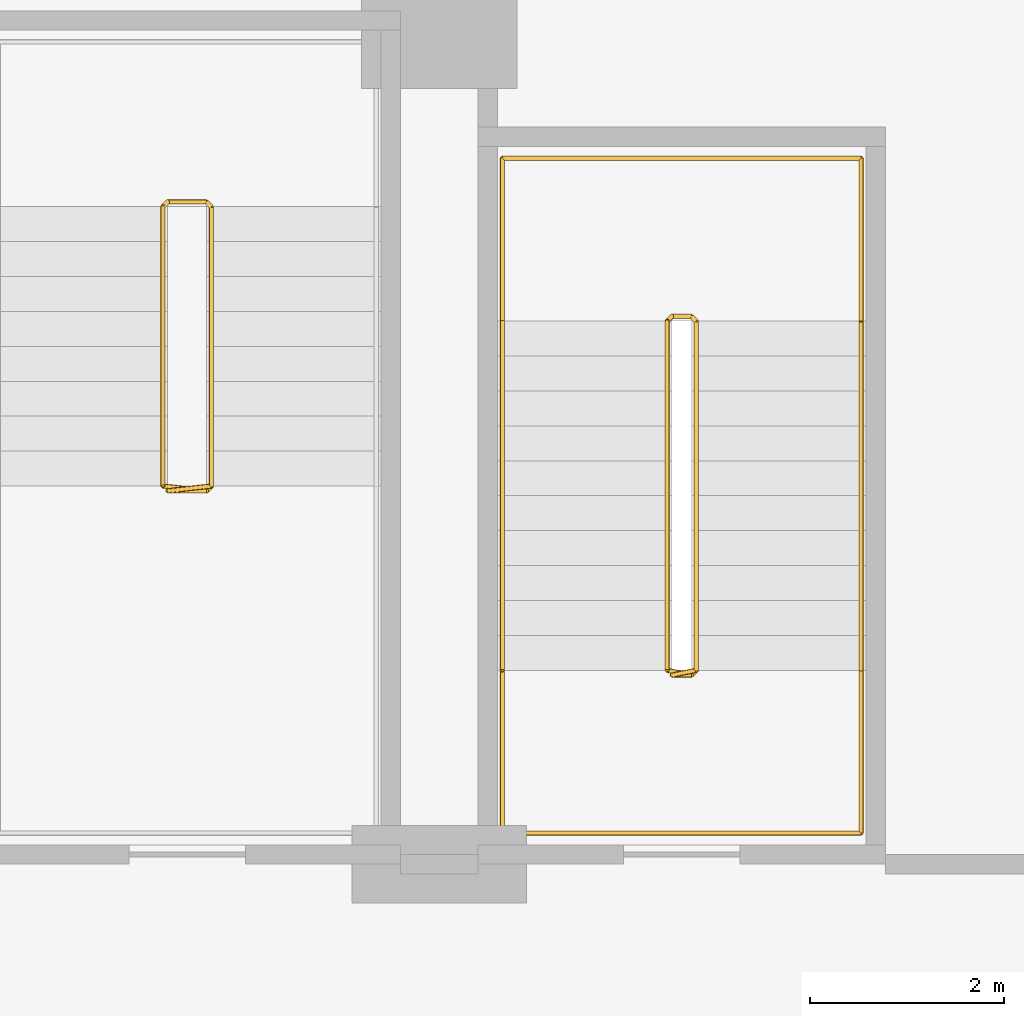
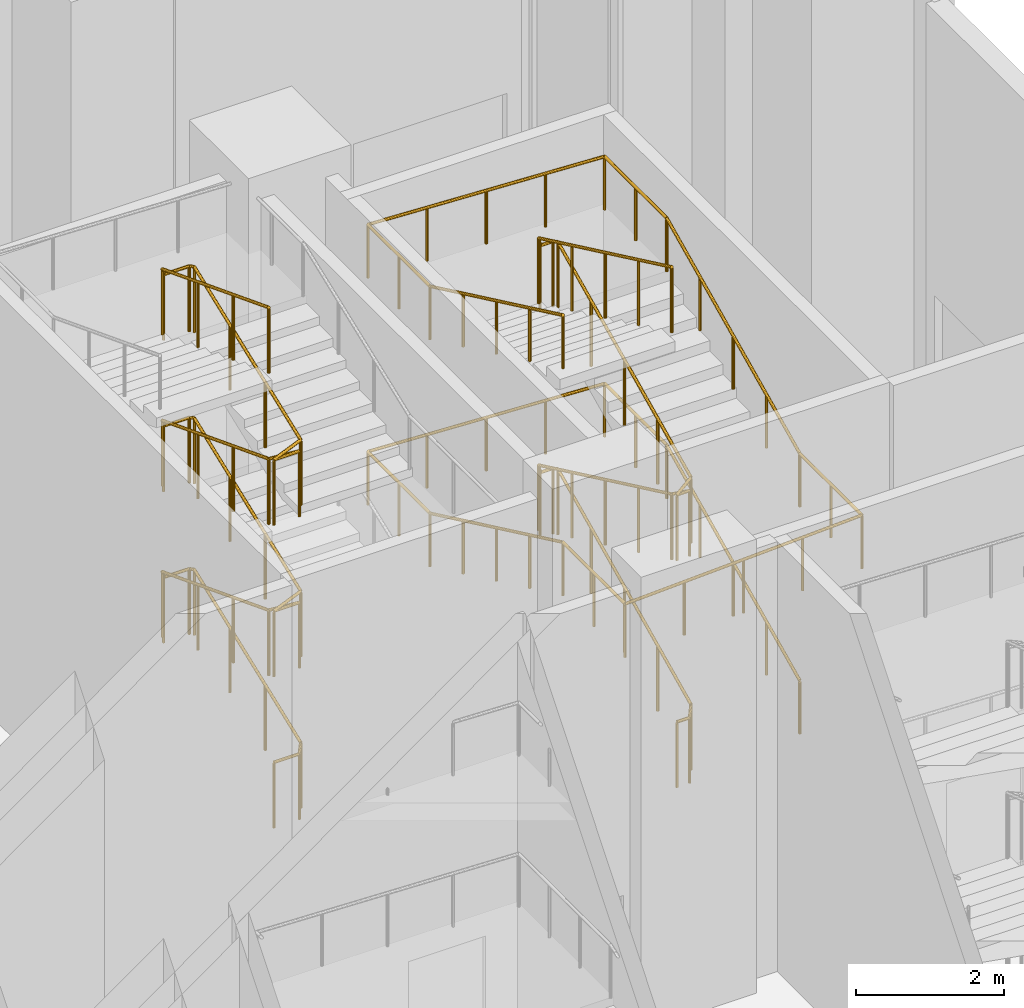
# One storey, part 39 of 41: 3 railings.
"""IFC4 building model written with IfcOpenShell, lengths in metres."""

from ifc_helpers import new_model, si_unit, direction, frame, origin, origin_2d, place, context, subcontext, project, spatial, circle, extrude, material, type_object, element, save


model = new_model("IFC4")

# Units and contexts
model_context = context("Model", 3, precision=1e-05, world=origin(), true_north=direction((0.0, 1.0)))
body_context = subcontext(model_context, "Body", "Model", "MODEL_VIEW")
ifc_project = project(units=[si_unit("LENGTHUNIT", "METRE"), si_unit("AREAUNIT", "SQUARE_METRE"), si_unit("VOLUMEUNIT", "CUBIC_METRE"), si_unit("PLANEANGLEUNIT", "RADIAN"), si_unit("MASSUNIT", "GRAM", prefix="KILO")], contexts=[model_context])

# Site, building, storey
site_placement = place(None, origin())
site = spatial("IfcSite", under=ifc_project, at=site_placement, CompositionType="ELEMENT")
building_placement = place(site_placement, origin())
building = spatial("IfcBuilding", under=site, at=building_placement, Name="Kemantara Hotel Tower", CompositionType="ELEMENT")
storey_placement = place(building_placement, origin())
storey = spatial("IfcBuildingStorey", under=building, at=storey_placement, Name="L00", CompositionType="ELEMENT", Elevation=0.0)

# Railings
ifc_material = material(Name="Stainless steel balustrade", Category="steel")
railing_type_1 = type_object("IfcRailingType", Name="Stair guard 1100 mm", PredefinedType="GUARDRAIL", material=ifc_material)
railing_1_placement = place(storey_placement, frame((73.75, 14.199951171875, 7.5)))
element("IfcRailing", 1, at=railing_1_placement, inside=storey, type_object=railing_type_1, Name="L00 ST5 stair guard 1", PredefinedType="GUARDRAIL", context=body_context, shape_type="SweptSolid", body=[
    extrude(circle(Radius=0.02392578125, at=origin_2d()), frame((0.0, 0.0, 1.076171875), z_axis=(0.0, 0.903807716052, -0.427938795163), x_axis=(-1.0, 0.0, 0.0)), (0.0, 0.0, 1.0), 3.983154296875),
    extrude(circle(Radius=0.02392578125, at=origin_2d()), frame((0.0, 3.60009765625, -0.62841796875), z_axis=(0.271230943075, 0.271230943075, -0.923508284228), x_axis=(-0.707106781187, 0.707106781187, 0.0)), (0.0, 0.0, 1.0), 0.1845703125),
    extrude(circle(Radius=0.02392578125, at=origin_2d()), frame((0.050048828125, 3.650146484375, -0.798828125), z_axis=(1.0, 0.0, 0.0), x_axis=(0.0, 1.0, 0.0)), (0.0, 0.0, 1.0), 0.199951171875),
    extrude(circle(Radius=0.02392578125, at=origin_2d()), frame((0.25, 3.650146484375, -0.798828125), z_axis=(0.707106781187, -0.707106781187, 0.0), x_axis=(0.707106781187, 0.707106781187, 0.0)), (0.0, 0.0, 1.0), 0.07080078125),
    extrude(circle(Radius=0.02392578125, at=origin_2d()), frame((0.300048828125, 3.60009765625, -0.798828125), z_axis=(0.0, -0.903807716052, -0.427938795163), x_axis=(1.0, 0.0, 0.0)), (0.0, 0.0, 1.0), 3.983154296875),
    extrude(circle(Radius=0.02392578125, at=origin_2d()), frame((0.300048828125, 0.0, -2.50341796875), z_axis=(-0.815217122126, -0.163202646519, -0.555685108637), x_axis=(0.196300278283, -0.98054382908, 0.0)), (0.0, 0.0, 1.0), 0.306640625),
    extrude(circle(Radius=0.02392578125, at=origin_2d()), frame((0.050048828125, -0.050048828125, -2.673828125), z_axis=(1.0, 0.0, 0.0), x_axis=(0.0, 1.0, 0.0)), (0.0, 0.0, 1.0), 0.199951171875),
    extrude(circle(Radius=0.02392578125, at=origin_2d()), frame((0.25, -0.050048828125, -2.673828125), z_axis=(-0.98054382908, 0.196300278283, 0.0), x_axis=(-0.196300278283, -0.98054382908, 0.0)), (0.0, 0.0, 1.0), 0.2548828125),
    extrude(circle(Radius=0.02392578125, at=origin_2d()), frame((0.0, 0.0, -2.673828125), z_axis=(0.0, 0.903807716052, -0.427938795163), x_axis=(-1.0, 0.0, 0.0)), (0.0, 0.0, 1.0), 3.983154296875),
    extrude(circle(Radius=0.02392578125, at=origin_2d()), frame((0.0, 3.60009765625, -4.37841796875), z_axis=(0.271230943075, 0.271230943075, -0.923508284228), x_axis=(-0.707106781187, 0.707106781187, 0.0)), (0.0, 0.0, 1.0), 0.1845703125),
    extrude(circle(Radius=0.02392578125, at=origin_2d()), frame((0.050048828125, 3.650146484375, -4.548828125), z_axis=(1.0, 0.0, 0.0), x_axis=(0.0, 1.0, 0.0)), (0.0, 0.0, 1.0), 0.199951171875),
    extrude(circle(Radius=0.02392578125, at=origin_2d()), frame((0.25, 3.650146484375, -4.548828125), z_axis=(0.707106781187, -0.707106781187, 0.0), x_axis=(0.707106781187, 0.707106781187, 0.0)), (0.0, 0.0, 1.0), 0.07080078125),
    extrude(circle(Radius=0.02392578125, at=origin_2d()), frame((0.300048828125, 3.60009765625, -4.548828125), z_axis=(0.0, -0.903807716052, -0.427938795163), x_axis=(1.0, 0.0, 0.0)), (0.0, 0.0, 1.0), 3.983154296875),
    extrude(circle(Radius=0.02392578125, at=origin_2d()), frame((0.300048828125, 0.0, -6.25341796875), z_axis=(-0.271230943075, -0.271230943075, -0.923508284228), x_axis=(0.707106781187, -0.707106781187, 0.0)), (0.0, 0.0, 1.0), 0.1845703125),
    extrude(circle(Radius=0.02392578125, at=origin_2d()), frame((0.25, -0.050048828125, -6.423828125), z_axis=(-1.0, 0.0, 0.0), x_axis=(0.0, -1.0, 0.0)), (0.0, 0.0, 1.0), 0.199951171875),
    extrude(circle(Radius=0.02099609375, at=origin_2d()), origin(), (0.0, 0.0, 1.0), 1.052001953125),
    extrude(circle(Radius=0.02099609375, at=origin_2d()), frame((0.0, 0.89990234375, -0.42626953125)), (0.0, 0.0, 1.0), 1.052001953125),
    extrude(circle(Radius=0.02099609375, at=origin_2d()), frame((0.0, 1.800048828125, -0.852294921875)), (0.0, 0.0, 1.0), 1.052001953125),
    extrude(circle(Radius=0.02099609375, at=origin_2d()), frame((0.0, 2.7001953125, -1.2783203125)), (0.0, 0.0, 1.0), 1.052001953125),
    extrude(circle(Radius=0.02099609375, at=origin_2d()), frame((0.0, 3.60009765625, -1.70458984375)), (0.0, 0.0, 1.0), 1.052001953125),
    extrude(circle(Radius=0.02099609375, at=origin_2d()), frame((0.050048828125, 3.650146484375, -1.875)), (0.0, 0.0, 1.0), 1.052001953125),
    extrude(circle(Radius=0.02099609375, at=origin_2d()), frame((0.25, 3.650146484375, -1.875)), (0.0, 0.0, 1.0), 1.052001953125),
    extrude(circle(Radius=0.02099609375, at=origin_2d()), frame((0.300048828125, 3.60009765625, -1.875)), (0.0, 0.0, 1.0), 1.052001953125),
    extrude(circle(Radius=0.02099609375, at=origin_2d()), frame((0.300048828125, 2.7001953125, -2.30126953125)), (0.0, 0.0, 1.0), 1.052001953125),
    extrude(circle(Radius=0.02099609375, at=origin_2d()), frame((0.300048828125, 1.800048828125, -2.727294921875)), (0.0, 0.0, 1.0), 1.052001953125),
    extrude(circle(Radius=0.02099609375, at=origin_2d()), frame((0.300048828125, 0.89990234375, -3.1533203125)), (0.0, 0.0, 1.0), 1.052001953125),
    extrude(circle(Radius=0.02099609375, at=origin_2d()), frame((0.300048828125, 0.0, -3.57958984375)), (0.0, 0.0, 1.0), 1.052001953125),
    extrude(circle(Radius=0.02099609375, at=origin_2d()), frame((0.050048828125, -0.050048828125, -3.75)), (0.0, 0.0, 1.0), 1.052001953125),
    extrude(circle(Radius=0.02099609375, at=origin_2d()), frame((0.25, -0.050048828125, -3.75)), (0.0, 0.0, 1.0), 1.052001953125),
    extrude(circle(Radius=0.02099609375, at=origin_2d()), frame((0.0, 0.0, -3.75)), (0.0, 0.0, 1.0), 1.052001953125),
    extrude(circle(Radius=0.02099609375, at=origin_2d()), frame((0.0, 0.89990234375, -4.17626953125)), (0.0, 0.0, 1.0), 1.052001953125),
    extrude(circle(Radius=0.02099609375, at=origin_2d()), frame((0.0, 1.800048828125, -4.602294921875)), (0.0, 0.0, 1.0), 1.052001953125),
    extrude(circle(Radius=0.02099609375, at=origin_2d()), frame((0.0, 2.7001953125, -5.0283203125)), (0.0, 0.0, 1.0), 1.052001953125),
    extrude(circle(Radius=0.02099609375, at=origin_2d()), frame((0.0, 3.60009765625, -5.45458984375)), (0.0, 0.0, 1.0), 1.052001953125),
    extrude(circle(Radius=0.02099609375, at=origin_2d()), frame((0.050048828125, 3.650146484375, -5.625)), (0.0, 0.0, 1.0), 1.052001953125),
    extrude(circle(Radius=0.02099609375, at=origin_2d()), frame((0.25, 3.650146484375, -5.625)), (0.0, 0.0, 1.0), 1.052001953125),
    extrude(circle(Radius=0.02099609375, at=origin_2d()), frame((0.300048828125, 3.60009765625, -5.625)), (0.0, 0.0, 1.0), 1.052001953125),
    extrude(circle(Radius=0.02099609375, at=origin_2d()), frame((0.300048828125, 2.7001953125, -6.05126953125)), (0.0, 0.0, 1.0), 1.052001953125),
    extrude(circle(Radius=0.02099609375, at=origin_2d()), frame((0.300048828125, 1.800048828125, -6.477294921875)), (0.0, 0.0, 1.0), 1.052001953125),
    extrude(circle(Radius=0.02099609375, at=origin_2d()), frame((0.300048828125, 0.89990234375, -6.9033203125)), (0.0, 0.0, 1.0), 1.052001953125),
    extrude(circle(Radius=0.02099609375, at=origin_2d()), frame((0.300048828125, 0.0, -7.32958984375)), (0.0, 0.0, 1.0), 1.052001953125),
    extrude(circle(Radius=0.02099609375, at=origin_2d()), frame((0.25, -0.050048828125, -7.5)), (0.0, 0.0, 1.0), 1.052001953125),
    extrude(circle(Radius=0.02099609375, at=origin_2d()), frame((0.050048828125, -0.050048828125, -7.5)), (0.0, 0.0, 1.0), 1.052001953125),
])
railing_2_placement = place(storey_placement, frame((68.550048828125, 16.10009765625, 7.5)))
element("IfcRailing", 2, at=railing_2_placement, inside=storey, type_object=railing_type_1, Name="L00 PS1 stair guard 1", PredefinedType="GUARDRAIL", context=body_context, shape_type="SweptSolid", body=[
    extrude(circle(Radius=0.02392578125, at=origin_2d()), frame((0.0, 0.0, 1.076171875), z_axis=(0.0, 0.932972064118, -0.359948784656), x_axis=(-1.0, 0.0, 0.0)), (0.0, 0.0, 1.0), 3.086669921875),
    extrude(circle(Radius=0.02392578125, at=origin_2d()), frame((0.0, 2.8798828125, -0.03515625), z_axis=(0.321014310373, 0.321014310373, -0.891010451718), x_axis=(-0.707106781187, 0.707106781187, 0.0)), (0.0, 0.0, 1.0), 0.156005859375),
    extrude(circle(Radius=0.02392578125, at=origin_2d()), frame((0.050048828125, 2.929931640625, -0.173828125), z_axis=(1.0, 0.0, 0.0), x_axis=(0.0, 1.0, 0.0)), (0.0, 0.0, 1.0), 0.39990234375),
    extrude(circle(Radius=0.02392578125, at=origin_2d()), frame((0.449951171875, 2.929931640625, -0.173828125), z_axis=(0.707106781187, -0.707106781187, 0.0), x_axis=(0.707106781187, 0.707106781187, 0.0)), (0.0, 0.0, 1.0), 0.07080078125),
    extrude(circle(Radius=0.02392578125, at=origin_2d()), frame((0.5, 2.8798828125, -0.173828125), z_axis=(0.0, -0.932972064118, -0.359948784656), x_axis=(1.0, 0.0, 0.0)), (0.0, 0.0, 1.0), 3.086669921875),
    extrude(circle(Radius=0.02392578125, at=origin_2d()), frame((0.5, 0.0, -1.28515625), z_axis=(-0.950147067569, -0.105686461667, -0.293344374089), x_axis=(0.110549901152, -0.993870574751, 0.0)), (0.0, 0.0, 1.0), 0.4736328125),
    extrude(circle(Radius=0.02392578125, at=origin_2d()), frame((0.050048828125, -0.050048828125, -1.423828125), z_axis=(1.0, 0.0, 0.0), x_axis=(0.0, 1.0, 0.0)), (0.0, 0.0, 1.0), 0.39990234375),
    extrude(circle(Radius=0.02392578125, at=origin_2d()), frame((0.449951171875, -0.050048828125, -1.423828125), z_axis=(-0.993870574751, 0.110549901152, 0.0), x_axis=(-0.110549901152, -0.993870574751, 0.0)), (0.0, 0.0, 1.0), 0.45263671875),
    extrude(circle(Radius=0.02392578125, at=origin_2d()), frame((0.0, 0.0, -1.423828125), z_axis=(0.0, 0.932972064118, -0.359948784656), x_axis=(-1.0, 0.0, 0.0)), (0.0, 0.0, 1.0), 3.086669921875),
    extrude(circle(Radius=0.02392578125, at=origin_2d()), frame((0.0, 2.8798828125, -2.53515625), z_axis=(0.321014310373, 0.321014310373, -0.891010451718), x_axis=(-0.707106781187, 0.707106781187, 0.0)), (0.0, 0.0, 1.0), 0.156005859375),
    extrude(circle(Radius=0.02392578125, at=origin_2d()), frame((0.050048828125, 2.929931640625, -2.673828125), z_axis=(1.0, 0.0, 0.0), x_axis=(0.0, 1.0, 0.0)), (0.0, 0.0, 1.0), 0.39990234375),
    extrude(circle(Radius=0.02392578125, at=origin_2d()), frame((0.449951171875, 2.929931640625, -2.673828125), z_axis=(0.707106781187, -0.707106781187, 0.0), x_axis=(0.707106781187, 0.707106781187, 0.0)), (0.0, 0.0, 1.0), 0.07080078125),
    extrude(circle(Radius=0.02392578125, at=origin_2d()), frame((0.5, 2.8798828125, -2.673828125), z_axis=(0.0, -0.932972064118, -0.359948784656), x_axis=(1.0, 0.0, 0.0)), (0.0, 0.0, 1.0), 3.086669921875),
    extrude(circle(Radius=0.02392578125, at=origin_2d()), frame((0.5, 0.0, -3.78515625), z_axis=(-0.950147067569, -0.105686461667, -0.293344374089), x_axis=(0.110549901152, -0.993870574751, 0.0)), (0.0, 0.0, 1.0), 0.4736328125),
    extrude(circle(Radius=0.02392578125, at=origin_2d()), frame((0.050048828125, -0.050048828125, -3.923828125), z_axis=(1.0, 0.0, 0.0), x_axis=(0.0, 1.0, 0.0)), (0.0, 0.0, 1.0), 0.39990234375),
    extrude(circle(Radius=0.02392578125, at=origin_2d()), frame((0.449951171875, -0.050048828125, -3.923828125), z_axis=(-0.993870574751, 0.110549901152, 0.0), x_axis=(-0.110549901152, -0.993870574751, 0.0)), (0.0, 0.0, 1.0), 0.45263671875),
    extrude(circle(Radius=0.02392578125, at=origin_2d()), frame((0.0, 0.0, -3.923828125), z_axis=(0.0, 0.932972064118, -0.359948784656), x_axis=(-1.0, 0.0, 0.0)), (0.0, 0.0, 1.0), 3.086669921875),
    extrude(circle(Radius=0.02392578125, at=origin_2d()), frame((0.0, 2.8798828125, -5.03515625), z_axis=(0.321014310373, 0.321014310373, -0.891010451718), x_axis=(-0.707106781187, 0.707106781187, 0.0)), (0.0, 0.0, 1.0), 0.156005859375),
    extrude(circle(Radius=0.02392578125, at=origin_2d()), frame((0.050048828125, 2.929931640625, -5.173828125), z_axis=(1.0, 0.0, 0.0), x_axis=(0.0, 1.0, 0.0)), (0.0, 0.0, 1.0), 0.39990234375),
    extrude(circle(Radius=0.02392578125, at=origin_2d()), frame((0.449951171875, 2.929931640625, -5.173828125), z_axis=(0.707106781187, -0.707106781187, 0.0), x_axis=(0.707106781187, 0.707106781187, 0.0)), (0.0, 0.0, 1.0), 0.07080078125),
    extrude(circle(Radius=0.02392578125, at=origin_2d()), frame((0.5, 2.8798828125, -5.173828125), z_axis=(0.0, -0.932972064118, -0.359948784656), x_axis=(1.0, 0.0, 0.0)), (0.0, 0.0, 1.0), 3.086669921875),
    extrude(circle(Radius=0.02392578125, at=origin_2d()), frame((0.5, 0.0, -6.28515625), z_axis=(-0.321014310373, -0.321014310373, -0.891010451718), x_axis=(0.707106781187, -0.707106781187, 0.0)), (0.0, 0.0, 1.0), 0.156005859375),
    extrude(circle(Radius=0.02392578125, at=origin_2d()), frame((0.449951171875, -0.050048828125, -6.423828125), z_axis=(-1.0, 0.0, 0.0), x_axis=(0.0, -1.0, 0.0)), (0.0, 0.0, 1.0), 0.39990234375),
    extrude(circle(Radius=0.02099609375, at=origin_2d()), origin(), (0.0, 0.0, 1.0), 1.052001953125),
    extrude(circle(Radius=0.02099609375, at=origin_2d()), frame((0.0, 0.9599609375, -0.370361328125)), (0.0, 0.0, 1.0), 1.052001953125),
    extrude(circle(Radius=0.02099609375, at=origin_2d()), frame((0.0, 1.919921875, -0.74072265625)), (0.0, 0.0, 1.0), 1.052001953125),
    extrude(circle(Radius=0.02099609375, at=origin_2d()), frame((0.0, 2.8798828125, -1.111083984375)), (0.0, 0.0, 1.0), 1.052001953125),
    extrude(circle(Radius=0.02099609375, at=origin_2d()), frame((0.050048828125, 2.929931640625, -1.25)), (0.0, 0.0, 1.0), 1.052001953125),
    extrude(circle(Radius=0.02099609375, at=origin_2d()), frame((0.449951171875, 2.929931640625, -1.25)), (0.0, 0.0, 1.0), 1.052001953125),
    extrude(circle(Radius=0.02099609375, at=origin_2d()), frame((0.5, 2.8798828125, -1.25)), (0.0, 0.0, 1.0), 1.052001953125),
    extrude(circle(Radius=0.02099609375, at=origin_2d()), frame((0.5, 1.919921875, -1.620361328125)), (0.0, 0.0, 1.0), 1.052001953125),
    extrude(circle(Radius=0.02099609375, at=origin_2d()), frame((0.5, 0.9599609375, -1.99072265625)), (0.0, 0.0, 1.0), 1.052001953125),
    extrude(circle(Radius=0.02099609375, at=origin_2d()), frame((0.5, 0.0, -2.361083984375)), (0.0, 0.0, 1.0), 1.052001953125),
    extrude(circle(Radius=0.02099609375, at=origin_2d()), frame((0.050048828125, -0.050048828125, -2.5)), (0.0, 0.0, 1.0), 1.052001953125),
    extrude(circle(Radius=0.02099609375, at=origin_2d()), frame((0.449951171875, -0.050048828125, -2.5)), (0.0, 0.0, 1.0), 1.052001953125),
    extrude(circle(Radius=0.02099609375, at=origin_2d()), frame((0.0, 0.0, -2.5)), (0.0, 0.0, 1.0), 1.052001953125),
    extrude(circle(Radius=0.02099609375, at=origin_2d()), frame((0.0, 0.9599609375, -2.870361328125)), (0.0, 0.0, 1.0), 1.052001953125),
    extrude(circle(Radius=0.02099609375, at=origin_2d()), frame((0.0, 1.919921875, -3.24072265625)), (0.0, 0.0, 1.0), 1.052001953125),
    extrude(circle(Radius=0.02099609375, at=origin_2d()), frame((0.0, 2.8798828125, -3.611083984375)), (0.0, 0.0, 1.0), 1.052001953125),
    extrude(circle(Radius=0.02099609375, at=origin_2d()), frame((0.050048828125, 2.929931640625, -3.75)), (0.0, 0.0, 1.0), 1.052001953125),
    extrude(circle(Radius=0.02099609375, at=origin_2d()), frame((0.449951171875, 2.929931640625, -3.75)), (0.0, 0.0, 1.0), 1.052001953125),
    extrude(circle(Radius=0.02099609375, at=origin_2d()), frame((0.5, 2.8798828125, -3.75)), (0.0, 0.0, 1.0), 1.052001953125),
    extrude(circle(Radius=0.02099609375, at=origin_2d()), frame((0.5, 1.919921875, -4.120361328125)), (0.0, 0.0, 1.0), 1.052001953125),
    extrude(circle(Radius=0.02099609375, at=origin_2d()), frame((0.5, 0.9599609375, -4.49072265625)), (0.0, 0.0, 1.0), 1.052001953125),
    extrude(circle(Radius=0.02099609375, at=origin_2d()), frame((0.5, 0.0, -4.861083984375)), (0.0, 0.0, 1.0), 1.052001953125),
    extrude(circle(Radius=0.02099609375, at=origin_2d()), frame((0.050048828125, -0.050048828125, -5.0)), (0.0, 0.0, 1.0), 1.052001953125),
    extrude(circle(Radius=0.02099609375, at=origin_2d()), frame((0.449951171875, -0.050048828125, -5.0)), (0.0, 0.0, 1.0), 1.052001953125),
    extrude(circle(Radius=0.02099609375, at=origin_2d()), frame((0.0, 0.0, -5.0)), (0.0, 0.0, 1.0), 1.052001953125),
    extrude(circle(Radius=0.02099609375, at=origin_2d()), frame((0.0, 0.9599609375, -5.370361328125)), (0.0, 0.0, 1.0), 1.052001953125),
    extrude(circle(Radius=0.02099609375, at=origin_2d()), frame((0.0, 1.919921875, -5.74072265625)), (0.0, 0.0, 1.0), 1.052001953125),
    extrude(circle(Radius=0.02099609375, at=origin_2d()), frame((0.0, 2.8798828125, -6.111083984375)), (0.0, 0.0, 1.0), 1.052001953125),
    extrude(circle(Radius=0.02099609375, at=origin_2d()), frame((0.050048828125, 2.929931640625, -6.25)), (0.0, 0.0, 1.0), 1.052001953125),
    extrude(circle(Radius=0.02099609375, at=origin_2d()), frame((0.449951171875, 2.929931640625, -6.25)), (0.0, 0.0, 1.0), 1.052001953125),
    extrude(circle(Radius=0.02099609375, at=origin_2d()), frame((0.5, 2.8798828125, -6.25)), (0.0, 0.0, 1.0), 1.052001953125),
    extrude(circle(Radius=0.02099609375, at=origin_2d()), frame((0.5, 1.919921875, -6.620361328125)), (0.0, 0.0, 1.0), 1.052001953125),
    extrude(circle(Radius=0.02099609375, at=origin_2d()), frame((0.5, 0.9599609375, -6.99072265625)), (0.0, 0.0, 1.0), 1.052001953125),
    extrude(circle(Radius=0.02099609375, at=origin_2d()), frame((0.5, 0.0, -7.361083984375)), (0.0, 0.0, 1.0), 1.052001953125),
    extrude(circle(Radius=0.02099609375, at=origin_2d()), frame((0.449951171875, -0.050048828125, -7.5)), (0.0, 0.0, 1.0), 1.052001953125),
    extrude(circle(Radius=0.02099609375, at=origin_2d()), frame((0.050048828125, -0.050048828125, -7.5)), (0.0, 0.0, 1.0), 1.052001953125),
])
railing_type_2 = type_object("IfcRailingType", Name="Stair handrail 900 mm", PredefinedType="HANDRAIL", material=ifc_material)
railing_3_placement = place(storey_placement, frame((75.75, 14.199951171875, 0.17041015625)))
element("IfcRailing", 3, at=railing_3_placement, inside=storey, type_object=railing_type_2, Name="L00 ST5 stair handrail 1", PredefinedType="HANDRAIL", context=body_context, shape_type="SweptSolid", body=[
    extrude(circle(Radius=0.02392578125, at=origin_2d()), frame((0.0, 0.0, 0.8759765625), z_axis=(0.0, 0.903807716052, 0.427938795163), x_axis=(-1.0, 0.0, 0.0)), (0.0, 0.0, 1.0), 3.983154296875),
    extrude(circle(Radius=0.02392578125, at=origin_2d()), frame((0.0, 3.60009765625, 2.58056640625), z_axis=(0.0, 1.0, 0.0), x_axis=(-1.0, 0.0, 0.0)), (0.0, 0.0, 1.0), 1.679931640625),
    extrude(circle(Radius=0.02392578125, at=origin_2d()), frame((0.0, 5.280029296875, 2.58056640625), z_axis=(-0.998941042105, 0.0, 0.046008633942), x_axis=(0.0, -1.0, 0.0)), (0.0, 0.0, 1.0), 3.703857421875),
    extrude(circle(Radius=0.02392578125, at=origin_2d()), frame((-3.699951171875, 5.280029296875, 2.7509765625), z_axis=(0.0, -1.0, 0.0), x_axis=(1.0, 0.0, 0.0)), (0.0, 0.0, 1.0), 1.679931640625),
    extrude(circle(Radius=0.02392578125, at=origin_2d()), frame((-3.699951171875, 3.60009765625, 2.7509765625), z_axis=(0.0, -0.903807716052, 0.427938795163), x_axis=(1.0, 0.0, 0.0)), (0.0, 0.0, 1.0), 3.983154296875),
    extrude(circle(Radius=0.02392578125, at=origin_2d()), frame((-3.699951171875, 0.0, 4.45556640625), z_axis=(0.0, -1.0, 0.0), x_axis=(1.0, 0.0, 0.0)), (0.0, 0.0, 1.0), 1.679931640625),
    extrude(circle(Radius=0.02392578125, at=origin_2d()), frame((-3.699951171875, -1.679931640625, 4.45556640625), z_axis=(0.998941042105, 0.0, 0.046008633942), x_axis=(0.0, 1.0, 0.0)), (0.0, 0.0, 1.0), 3.703857421875),
    extrude(circle(Radius=0.02392578125, at=origin_2d()), frame((0.0, -1.679931640625, 4.6259765625), z_axis=(0.0, 1.0, 0.0), x_axis=(-1.0, 0.0, 0.0)), (0.0, 0.0, 1.0), 1.679931640625),
    extrude(circle(Radius=0.02392578125, at=origin_2d()), frame((0.0, 0.0, 4.6259765625), z_axis=(0.0, 0.903807716052, 0.427938795163), x_axis=(-1.0, 0.0, 0.0)), (0.0, 0.0, 1.0), 3.983154296875),
    extrude(circle(Radius=0.02392578125, at=origin_2d()), frame((0.0, 3.60009765625, 6.33056640625), z_axis=(0.0, 1.0, 0.0), x_axis=(-1.0, 0.0, 0.0)), (0.0, 0.0, 1.0), 1.679931640625),
    extrude(circle(Radius=0.02392578125, at=origin_2d()), frame((0.0, 5.280029296875, 6.33056640625), z_axis=(-0.998941042105, 0.0, 0.046008633942), x_axis=(0.0, -1.0, 0.0)), (0.0, 0.0, 1.0), 3.703857421875),
    extrude(circle(Radius=0.02392578125, at=origin_2d()), frame((-3.699951171875, 5.280029296875, 6.5009765625), z_axis=(0.0, -1.0, 0.0), x_axis=(1.0, 0.0, 0.0)), (0.0, 0.0, 1.0), 1.679931640625),
    extrude(circle(Radius=0.02392578125, at=origin_2d()), frame((-3.699951171875, 3.60009765625, 6.5009765625), z_axis=(0.0, -0.903807716052, 0.427938795163), x_axis=(1.0, 0.0, 0.0)), (0.0, 0.0, 1.0), 3.983154296875),
    extrude(circle(Radius=0.02099609375, at=origin_2d()), origin(), (0.0, 0.0, 1.0), 0.851806640625),
    extrude(circle(Radius=0.02099609375, at=origin_2d()), frame((0.0, 0.89990234375, 0.42626953125)), (0.0, 0.0, 1.0), 0.851806640625),
    extrude(circle(Radius=0.02099609375, at=origin_2d()), frame((0.0, 1.800048828125, 0.852294921875)), (0.0, 0.0, 1.0), 0.851806640625),
    extrude(circle(Radius=0.02099609375, at=origin_2d()), frame((0.0, 2.7001953125, 1.2783203125)), (0.0, 0.0, 1.0), 0.851806640625),
    extrude(circle(Radius=0.02099609375, at=origin_2d()), frame((0.0, 3.60009765625, 1.70458984375)), (0.0, 0.0, 1.0), 0.851806640625),
    extrude(circle(Radius=0.02099609375, at=origin_2d()), frame((0.0, 4.43994140625, 1.70458984375)), (0.0, 0.0, 1.0), 0.851806640625),
    extrude(circle(Radius=0.02099609375, at=origin_2d()), frame((0.0, 5.280029296875, 1.70458984375)), (0.0, 0.0, 1.0), 0.851806640625),
    extrude(circle(Radius=0.02099609375, at=origin_2d()), frame((-0.925048828125, 5.280029296875, 1.7470703125)), (0.0, 0.0, 1.0), 0.851806640625),
    extrude(circle(Radius=0.02099609375, at=origin_2d()), frame((-1.85009765625, 5.280029296875, 1.789794921875)), (0.0, 0.0, 1.0), 0.851806640625),
    extrude(circle(Radius=0.02099609375, at=origin_2d()), frame((-2.77490234375, 5.280029296875, 1.83251953125)), (0.0, 0.0, 1.0), 0.851806640625),
    extrude(circle(Radius=0.02099609375, at=origin_2d()), frame((-3.699951171875, 5.280029296875, 1.875)), (0.0, 0.0, 1.0), 0.851806640625),
    extrude(circle(Radius=0.02099609375, at=origin_2d()), frame((-3.699951171875, 4.43994140625, 1.875)), (0.0, 0.0, 1.0), 0.851806640625),
    extrude(circle(Radius=0.02099609375, at=origin_2d()), frame((-3.699951171875, 3.60009765625, 1.875)), (0.0, 0.0, 1.0), 0.851806640625),
    extrude(circle(Radius=0.02099609375, at=origin_2d()), frame((-3.699951171875, 2.7001953125, 2.30126953125)), (0.0, 0.0, 1.0), 0.851806640625),
    extrude(circle(Radius=0.02099609375, at=origin_2d()), frame((-3.699951171875, 1.800048828125, 2.727294921875)), (0.0, 0.0, 1.0), 0.851806640625),
    extrude(circle(Radius=0.02099609375, at=origin_2d()), frame((-3.699951171875, 0.89990234375, 3.1533203125)), (0.0, 0.0, 1.0), 0.851806640625),
    extrude(circle(Radius=0.02099609375, at=origin_2d()), frame((-3.699951171875, 0.0, 3.57958984375)), (0.0, 0.0, 1.0), 0.851806640625),
    extrude(circle(Radius=0.02099609375, at=origin_2d()), frame((-3.699951171875, -0.83984375, 3.57958984375)), (0.0, 0.0, 1.0), 0.851806640625),
    extrude(circle(Radius=0.02099609375, at=origin_2d()), frame((-3.699951171875, -1.679931640625, 3.57958984375)), (0.0, 0.0, 1.0), 0.851806640625),
    extrude(circle(Radius=0.02099609375, at=origin_2d()), frame((-2.77490234375, -1.679931640625, 3.6220703125)), (0.0, 0.0, 1.0), 0.851806640625),
    extrude(circle(Radius=0.02099609375, at=origin_2d()), frame((-1.85009765625, -1.679931640625, 3.664794921875)), (0.0, 0.0, 1.0), 0.851806640625),
    extrude(circle(Radius=0.02099609375, at=origin_2d()), frame((-0.925048828125, -1.679931640625, 3.70751953125)), (0.0, 0.0, 1.0), 0.851806640625),
    extrude(circle(Radius=0.02099609375, at=origin_2d()), frame((0.0, -1.679931640625, 3.75)), (0.0, 0.0, 1.0), 0.851806640625),
    extrude(circle(Radius=0.02099609375, at=origin_2d()), frame((0.0, -0.83984375, 3.75)), (0.0, 0.0, 1.0), 0.851806640625),
    extrude(circle(Radius=0.02099609375, at=origin_2d()), frame((0.0, 0.0, 3.75)), (0.0, 0.0, 1.0), 0.851806640625),
    extrude(circle(Radius=0.02099609375, at=origin_2d()), frame((0.0, 0.89990234375, 4.17626953125)), (0.0, 0.0, 1.0), 0.851806640625),
    extrude(circle(Radius=0.02099609375, at=origin_2d()), frame((0.0, 1.800048828125, 4.602294921875)), (0.0, 0.0, 1.0), 0.851806640625),
    extrude(circle(Radius=0.02099609375, at=origin_2d()), frame((0.0, 2.7001953125, 5.0283203125)), (0.0, 0.0, 1.0), 0.851806640625),
    extrude(circle(Radius=0.02099609375, at=origin_2d()), frame((0.0, 3.60009765625, 5.45458984375)), (0.0, 0.0, 1.0), 0.851806640625),
    extrude(circle(Radius=0.02099609375, at=origin_2d()), frame((0.0, 4.43994140625, 5.45458984375)), (0.0, 0.0, 1.0), 0.851806640625),
    extrude(circle(Radius=0.02099609375, at=origin_2d()), frame((0.0, 5.280029296875, 5.45458984375)), (0.0, 0.0, 1.0), 0.851806640625),
    extrude(circle(Radius=0.02099609375, at=origin_2d()), frame((-0.925048828125, 5.280029296875, 5.4970703125)), (0.0, 0.0, 1.0), 0.851806640625),
    extrude(circle(Radius=0.02099609375, at=origin_2d()), frame((-1.85009765625, 5.280029296875, 5.539794921875)), (0.0, 0.0, 1.0), 0.851806640625),
    extrude(circle(Radius=0.02099609375, at=origin_2d()), frame((-2.77490234375, 5.280029296875, 5.58251953125)), (0.0, 0.0, 1.0), 0.851806640625),
    extrude(circle(Radius=0.02099609375, at=origin_2d()), frame((-3.699951171875, 5.280029296875, 5.625)), (0.0, 0.0, 1.0), 0.851806640625),
    extrude(circle(Radius=0.02099609375, at=origin_2d()), frame((-3.699951171875, 4.43994140625, 5.625)), (0.0, 0.0, 1.0), 0.851806640625),
    extrude(circle(Radius=0.02099609375, at=origin_2d()), frame((-3.699951171875, 3.60009765625, 5.625)), (0.0, 0.0, 1.0), 0.851806640625),
    extrude(circle(Radius=0.02099609375, at=origin_2d()), frame((-3.699951171875, 2.7001953125, 6.05126953125)), (0.0, 0.0, 1.0), 0.851806640625),
    extrude(circle(Radius=0.02099609375, at=origin_2d()), frame((-3.699951171875, 1.800048828125, 6.477294921875)), (0.0, 0.0, 1.0), 0.851806640625),
    extrude(circle(Radius=0.02099609375, at=origin_2d()), frame((-3.699951171875, 0.89990234375, 6.9033203125)), (0.0, 0.0, 1.0), 0.851806640625),
    extrude(circle(Radius=0.02099609375, at=origin_2d()), frame((-3.699951171875, 0.0, 7.32958984375)), (0.0, 0.0, 1.0), 0.851806640625),
])

save(model, "model.ifc")
